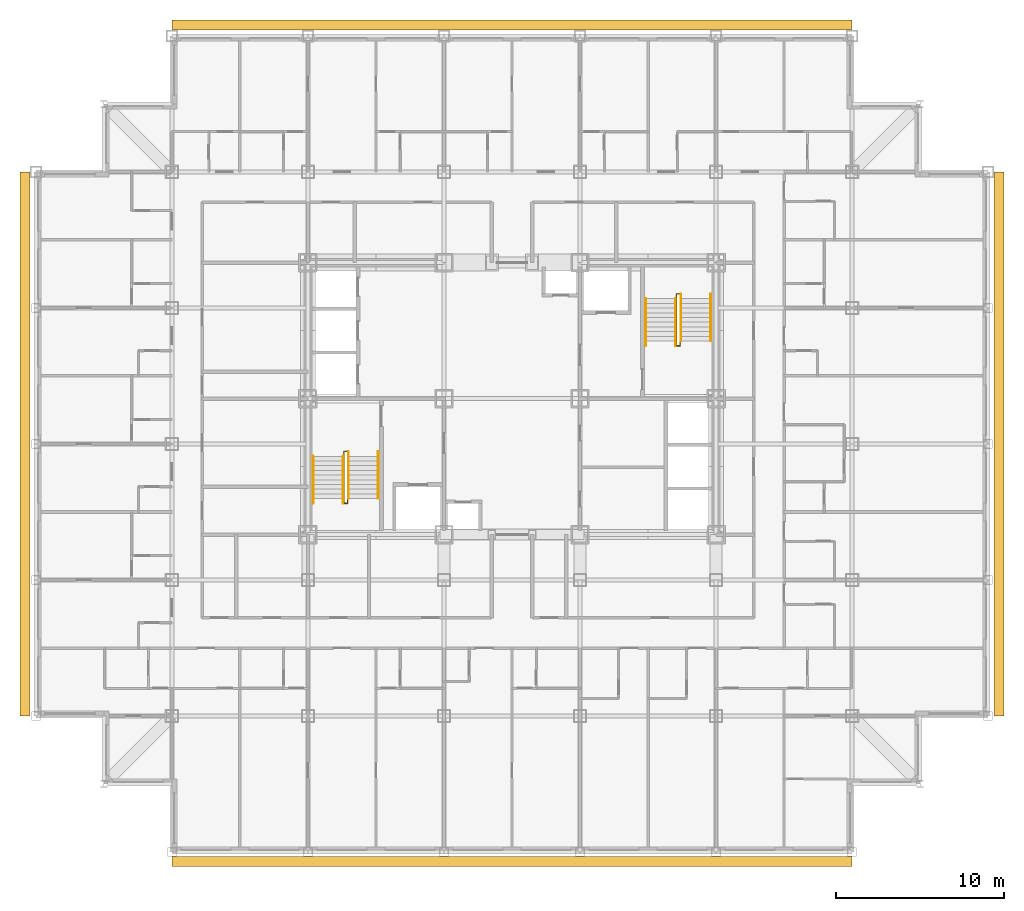
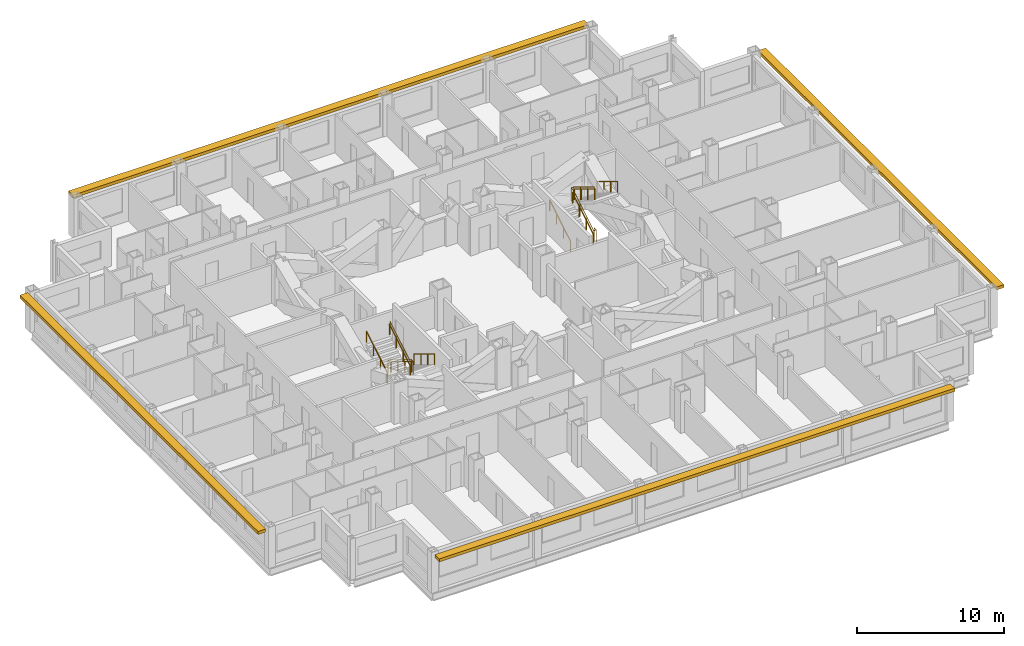
# One storey, part 13 of 13: 10 railings, 4 shading devices.
"""IFC4 building model written with IfcOpenShell, lengths in metres."""

from ifc_helpers import new_model, si_unit, direction, frame, origin, origin_2d, place, context, subcontext, project, spatial, rectangle, circle, extrude, material, type_object, element, save


model = new_model("IFC4")

# Units and contexts
model_context = context("Model", 3, precision=1e-05, world=origin(), true_north=direction((0.0, 1.0)))
body_context = subcontext(model_context, "Body", "Model", "MODEL_VIEW")
ifc_project = project(units=[si_unit("LENGTHUNIT", "METRE"), si_unit("AREAUNIT", "SQUARE_METRE"), si_unit("VOLUMEUNIT", "CUBIC_METRE"), si_unit("PLANEANGLEUNIT", "RADIAN"), si_unit("MASSUNIT", "GRAM", prefix="KILO")], contexts=[model_context])

# Site, building, storey
site_placement = place(None, origin())
site = spatial("IfcSite", under=ifc_project, at=site_placement, CompositionType="ELEMENT")
building_placement = place(site_placement, origin())
building = spatial("IfcBuilding", under=site, at=building_placement, Name="Kopane Lantern Tower", CompositionType="ELEMENT")
storey_placement = place(building_placement, frame((0.0, 0.0, 134.0)))
storey = spatial("IfcBuildingStorey", under=building, at=storey_placement, Name="L34", CompositionType="ELEMENT", Elevation=134.0)

# Railings
ifc_material_1 = material(Name="Steel", Category="steel")
railing_type_1 = type_object("IfcRailingType", Name="STAIR GUARD 1100", PredefinedType="GUARDRAIL", material=ifc_material_1)
railing_1_placement = place(storey_placement, frame((18.35009765625, 28.969970703125, 0.0)))
element("IfcRailing", 1, at=railing_1_placement, inside=storey, type_object=railing_type_1, Name="ST1 well guard L34", PredefinedType="GUARDRAIL", context=body_context, shape_type="SweptSolid", body=[
    extrude(circle(Radius=0.02392578125, at=origin_2d()), frame((0.0, 0.0, 1.076171875), z_axis=(0.0, 1.0, 0.0), x_axis=(-1.0, 0.0, 0.0)), (0.0, 0.0, 1.0), 0.280029296875),
    extrude(circle(Radius=0.02392578125, at=origin_2d()), frame((0.0, 0.280029296875, 1.076171875), z_axis=(1.0, 0.0, 0.0), x_axis=(0.0, 1.0, 0.0)), (0.0, 0.0, 1.0), 0.199951171875),
    extrude(circle(Radius=0.02392578125, at=origin_2d()), frame((0.199951171875, 0.280029296875, 1.076171875), z_axis=(0.0, -0.854798142509, 0.518960630071), x_axis=(1.0, 0.0, 0.0)), (0.0, 0.0, 1.0), 3.275634765625),
    extrude(circle(Radius=0.02392578125, at=origin_2d()), frame((0.199951171875, -2.52001953125, 2.77587890625), z_axis=(0.0, -1.0, 0.0), x_axis=(1.0, 0.0, 0.0)), (0.0, 0.0, 1.0), 0.280029296875),
    extrude(circle(Radius=0.02392578125, at=origin_2d()), frame((0.199951171875, -2.800048828125, 2.77587890625), z_axis=(-1.0, 0.0, 0.0), x_axis=(0.0, -1.0, 0.0)), (0.0, 0.0, 1.0), 0.199951171875),
    extrude(circle(Radius=0.02392578125, at=origin_2d()), frame((0.0, -2.800048828125, 2.77587890625), z_axis=(0.0, 0.854798142509, 0.518960630071), x_axis=(-1.0, 0.0, 0.0)), (0.0, 0.0, 1.0), 3.275634765625),
    extrude(circle(Radius=0.02099609375, at=origin_2d()), origin(), (0.0, 0.0, 1.0), 1.052001953125),
    extrude(circle(Radius=0.02099609375, at=origin_2d()), frame((0.0, 0.280029296875, 0.0)), (0.0, 0.0, 1.0), 1.052001953125),
    extrude(circle(Radius=0.02099609375, at=origin_2d()), frame((0.199951171875, 0.280029296875, 0.0)), (0.0, 0.0, 1.0), 1.052001953125),
    extrude(circle(Radius=0.02099609375, at=origin_2d()), frame((0.199951171875, -0.6533203125, 0.566650390625)), (0.0, 0.0, 1.0), 1.052001953125),
    extrude(circle(Radius=0.02099609375, at=origin_2d()), frame((0.199951171875, -1.586669921875, 1.13330078125)), (0.0, 0.0, 1.0), 1.052001953125),
    extrude(circle(Radius=0.02099609375, at=origin_2d()), frame((0.199951171875, -2.52001953125, 1.699951171875)), (0.0, 0.0, 1.0), 1.052001953125),
    extrude(circle(Radius=0.02099609375, at=origin_2d()), frame((0.199951171875, -2.800048828125, 1.699951171875)), (0.0, 0.0, 1.0), 1.052001953125),
    extrude(circle(Radius=0.02099609375, at=origin_2d()), frame((0.0, -2.800048828125, 1.699951171875)), (0.0, 0.0, 1.0), 1.052001953125),
    extrude(circle(Radius=0.02099609375, at=origin_2d()), frame((0.0, -1.86669921875, 2.2666015625)), (0.0, 0.0, 1.0), 1.052001953125),
    extrude(circle(Radius=0.02099609375, at=origin_2d()), frame((0.0, -0.933349609375, 2.833251953125)), (0.0, 0.0, 1.0), 1.052001953125),
    extrude(circle(Radius=0.02099609375, at=origin_2d()), frame((0.0, 0.0, 3.39990234375)), (0.0, 0.0, 1.0), 1.052001953125),
])
railing_2_placement = place(storey_placement, frame((38.35009765625, 35.830078125, 0.0)))
element("IfcRailing", 2, at=railing_2_placement, inside=storey, type_object=railing_type_1, Name="ST2 well guard L34", PredefinedType="GUARDRAIL", context=body_context, shape_type="SweptSolid", body=[
    extrude(circle(Radius=0.02392578125, at=origin_2d()), frame((0.0, 0.0, 1.076171875), z_axis=(0.0, -1.0, 0.0), x_axis=(1.0, 0.0, 0.0)), (0.0, 0.0, 1.0), 0.280029296875),
    extrude(circle(Radius=0.02392578125, at=origin_2d()), frame((0.0, -0.280029296875, 1.076171875), z_axis=(-1.0, 0.0, 0.0), x_axis=(0.0, -1.0, 0.0)), (0.0, 0.0, 1.0), 0.2001953125),
    extrude(circle(Radius=0.02392578125, at=origin_2d()), frame((-0.2001953125, -0.280029296875, 1.076171875), z_axis=(0.0, 0.854798142509, 0.518960630071), x_axis=(-1.0, 0.0, 0.0)), (0.0, 0.0, 1.0), 3.275634765625),
    extrude(circle(Radius=0.02392578125, at=origin_2d()), frame((-0.2001953125, 2.52001953125, 2.77587890625), z_axis=(0.0, 1.0, 0.0), x_axis=(-1.0, 0.0, 0.0)), (0.0, 0.0, 1.0), 0.27978515625),
    extrude(circle(Radius=0.02392578125, at=origin_2d()), frame((-0.2001953125, 2.7998046875, 2.77587890625), z_axis=(1.0, 0.0, 0.0), x_axis=(0.0, 1.0, 0.0)), (0.0, 0.0, 1.0), 0.2001953125),
    extrude(circle(Radius=0.02392578125, at=origin_2d()), frame((0.0, 2.7998046875, 2.77587890625), z_axis=(0.0, -0.854778067842, 0.518993694313), x_axis=(1.0, 0.0, 0.0)), (0.0, 0.0, 1.0), 3.275390625),
    extrude(circle(Radius=0.02099609375, at=origin_2d()), origin(), (0.0, 0.0, 1.0), 1.052001953125),
    extrude(circle(Radius=0.02099609375, at=origin_2d()), frame((0.0, -0.280029296875, 0.0)), (0.0, 0.0, 1.0), 1.052001953125),
    extrude(circle(Radius=0.02099609375, at=origin_2d()), frame((-0.2001953125, -0.280029296875, 0.0)), (0.0, 0.0, 1.0), 1.052001953125),
    extrude(circle(Radius=0.02099609375, at=origin_2d()), frame((-0.2001953125, 0.6533203125, 0.566650390625)), (0.0, 0.0, 1.0), 1.052001953125),
    extrude(circle(Radius=0.02099609375, at=origin_2d()), frame((-0.2001953125, 1.586669921875, 1.13330078125)), (0.0, 0.0, 1.0), 1.052001953125),
    extrude(circle(Radius=0.02099609375, at=origin_2d()), frame((-0.2001953125, 2.52001953125, 1.699951171875)), (0.0, 0.0, 1.0), 1.052001953125),
    extrude(circle(Radius=0.02099609375, at=origin_2d()), frame((-0.2001953125, 2.7998046875, 1.699951171875)), (0.0, 0.0, 1.0), 1.052001953125),
    extrude(circle(Radius=0.02099609375, at=origin_2d()), frame((0.0, 2.7998046875, 1.699951171875)), (0.0, 0.0, 1.0), 1.052001953125),
    extrude(circle(Radius=0.02099609375, at=origin_2d()), frame((0.0, 1.866455078125, 2.2666015625)), (0.0, 0.0, 1.0), 1.052001953125),
    extrude(circle(Radius=0.02099609375, at=origin_2d()), frame((0.0, 0.933349609375, 2.833251953125)), (0.0, 0.0, 1.0), 1.052001953125),
    extrude(circle(Radius=0.02099609375, at=origin_2d()), frame((0.0, 0.0, 3.39990234375)), (0.0, 0.0, 1.0), 1.052001953125),
])
ifc_material_2 = material(Name="Steel", Category="steel")
railing_type_2 = type_object("IfcRailingType", Name="STAIR HANDRAIL 900", PredefinedType="HANDRAIL", material=ifc_material_2)
for number, where, name in (
    (3, (20.389892578125, 29.25, 0.0), "ST1 handrail L34 flight 1"),
    (4, (18.610107421875, 29.25, 0.0), "ST1 handrail L34 flight 1"),
):
    element("IfcRailing", number, at=place(storey_placement, frame(where)), inside=storey, type_object=railing_type_2, Name=name, PredefinedType="HANDRAIL", context=body_context, shape_type="SweptSolid", body=[
        extrude(circle(Radius=0.02392578125, at=origin_2d()), frame((0.0, 0.0, 0.8759765625), z_axis=(0.0, -0.854798142509, 0.518960630071), x_axis=(1.0, 0.0, 0.0)), (0.0, 0.0, 1.0), 3.275634765625),
        extrude(circle(Radius=0.02099609375, at=origin_2d()), origin(), (0.0, 0.0, 1.0), 0.851806640625),
        extrude(circle(Radius=0.02099609375, at=origin_2d()), frame((0.0, -0.933349609375, 0.566650390625)), (0.0, 0.0, 1.0), 0.851806640625),
        extrude(circle(Radius=0.02099609375, at=origin_2d()), frame((0.0, -1.86669921875, 1.13330078125)), (0.0, 0.0, 1.0), 0.851806640625),
        extrude(circle(Radius=0.02099609375, at=origin_2d()), frame((0.0, -2.800048828125, 1.699951171875)), (0.0, 0.0, 1.0), 0.851806640625),
    ])
for number, where, name in (
    (5, (16.510009765625, 26.169921875, 1.699951171875), "ST1 handrail L34 flight 2"),
    (6, (18.2900390625, 26.169921875, 1.699951171875), "ST1 handrail L34 flight 2"),
    (7, (36.31005859375, 35.550048828125, 0.0), "ST2 handrail L34 flight 1"),
    (8, (38.090087890625, 35.550048828125, 0.0), "ST2 handrail L34 flight 1"),
):
    element("IfcRailing", number, at=place(storey_placement, frame(where)), inside=storey, type_object=railing_type_2, Name=name, PredefinedType="HANDRAIL", context=body_context, shape_type="SweptSolid", body=[
        extrude(circle(Radius=0.02392578125, at=origin_2d()), frame((0.0, 0.0, 0.8759765625), z_axis=(0.0, 0.854798142509, 0.518960630071), x_axis=(-1.0, 0.0, 0.0)), (0.0, 0.0, 1.0), 3.275634765625),
        extrude(circle(Radius=0.02099609375, at=origin_2d()), origin(), (0.0, 0.0, 1.0), 0.851806640625),
        extrude(circle(Radius=0.02099609375, at=origin_2d()), frame((0.0, 0.933349609375, 0.566650390625)), (0.0, 0.0, 1.0), 0.851806640625),
        extrude(circle(Radius=0.02099609375, at=origin_2d()), frame((0.0, 1.86669921875, 1.13330078125)), (0.0, 0.0, 1.0), 0.851806640625),
        extrude(circle(Radius=0.02099609375, at=origin_2d()), frame((0.0, 2.800048828125, 1.699951171875)), (0.0, 0.0, 1.0), 0.851806640625),
    ])
for number, where, name in (
    (9, (40.18994140625, 38.6298828125, 1.699951171875), "ST2 handrail L34 flight 2"),
    (10, (38.409912109375, 38.6298828125, 1.699951171875), "ST2 handrail L34 flight 2"),
):
    element("IfcRailing", number, at=place(storey_placement, frame(where)), inside=storey, type_object=railing_type_2, Name=name, PredefinedType="HANDRAIL", context=body_context, shape_type="SweptSolid", body=[
        extrude(circle(Radius=0.02392578125, at=origin_2d()), frame((0.0, 0.0, 0.8759765625), z_axis=(0.0, -0.854778067842, 0.518993694313), x_axis=(1.0, 0.0, 0.0)), (0.0, 0.0, 1.0), 3.275390625),
        extrude(circle(Radius=0.02099609375, at=origin_2d()), origin(), (0.0, 0.0, 1.0), 0.851806640625),
        extrude(circle(Radius=0.02099609375, at=origin_2d()), frame((0.0, -0.933349609375, 0.566650390625)), (0.0, 0.0, 1.0), 0.851806640625),
        extrude(circle(Radius=0.02099609375, at=origin_2d()), frame((0.0, -1.866455078125, 1.13330078125)), (0.0, 0.0, 1.0), 0.851806640625),
        extrude(circle(Radius=0.02099609375, at=origin_2d()), frame((0.0, -2.7998046875, 1.699951171875)), (0.0, 0.0, 1.0), 0.851806640625),
    ])

# Shading devices
ifc_material_3 = material(Name="Terracotta rainscreen on light steel framing", Category="masonry")
shading_device_type = type_object("IfcShadingDeviceType", Name="SUNSHADE BAND SB1 600 TERRACOTTA", PredefinedType="USERDEFINED", material=ifc_material_3)
shading_device_1_placement = place(storey_placement, frame((28.35009765625, 4.824951171875, 2.89990234375), z_axis=(0.0, 0.0, 1.0), x_axis=(1.0, 0.0, 0.0)))
element("IfcShadingDevice", 11, at=shading_device_1_placement, inside=storey, type_object=shading_device_type, Name="Sunshade band S L34", ObjectType="SUNSHADE BAND", PredefinedType="USERDEFINED", context=body_context, shape_type="SweptSolid", body=[
    extrude(rectangle(XDim=40.5, YDim=0.60009765625, at=origin_2d()), origin(), (0.0, 0.0, 1.0), 0.25),
])
shading_device_2_placement = place(storey_placement, frame((57.35009765625, 29.699951171875, 2.89990234375), z_axis=(0.0, 0.0, 1.0), x_axis=(0.0, 1.0, 0.0)))
element("IfcShadingDevice", 12, at=shading_device_2_placement, inside=storey, type_object=shading_device_type, Name="Sunshade band E L34", ObjectType="SUNSHADE BAND", PredefinedType="USERDEFINED", context=body_context, shape_type="SweptSolid", body=[
    extrude(rectangle(XDim=32.39990234375, YDim=0.60009765625, at=origin_2d()), origin(), (0.0, 0.0, 1.0), 0.25),
])
shading_device_3_placement = place(storey_placement, frame((28.35009765625, 54.64990234375, 2.89990234375), z_axis=(0.0, 0.0, 1.0), x_axis=(-1.0, 0.0, 0.0)))
element("IfcShadingDevice", 13, at=shading_device_3_placement, inside=storey, type_object=shading_device_type, Name="Sunshade band N L34", ObjectType="SUNSHADE BAND", PredefinedType="USERDEFINED", context=body_context, shape_type="SweptSolid", body=[
    extrude(rectangle(XDim=40.5, YDim=0.60009765625, at=origin_2d()), origin(), (0.0, 0.0, 1.0), 0.25),
])
shading_device_4_placement = place(storey_placement, frame((-0.64990234375, 29.699951171875, 2.89990234375), z_axis=(0.0, 0.0, 1.0), x_axis=(0.0, -1.0, 0.0)))
element("IfcShadingDevice", 14, at=shading_device_4_placement, inside=storey, type_object=shading_device_type, Name="Sunshade band W L34", ObjectType="SUNSHADE BAND", PredefinedType="USERDEFINED", context=body_context, shape_type="SweptSolid", body=[
    extrude(rectangle(XDim=32.39990234375, YDim=0.60009765625, at=origin_2d()), origin(), (0.0, 0.0, 1.0), 0.25),
])

save(model, "model.ifc")
